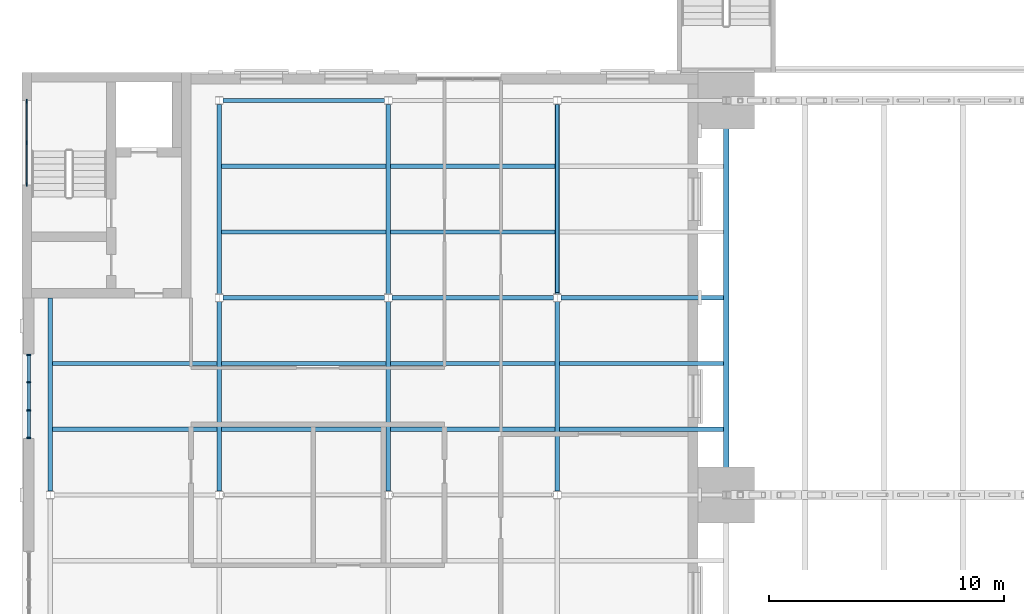
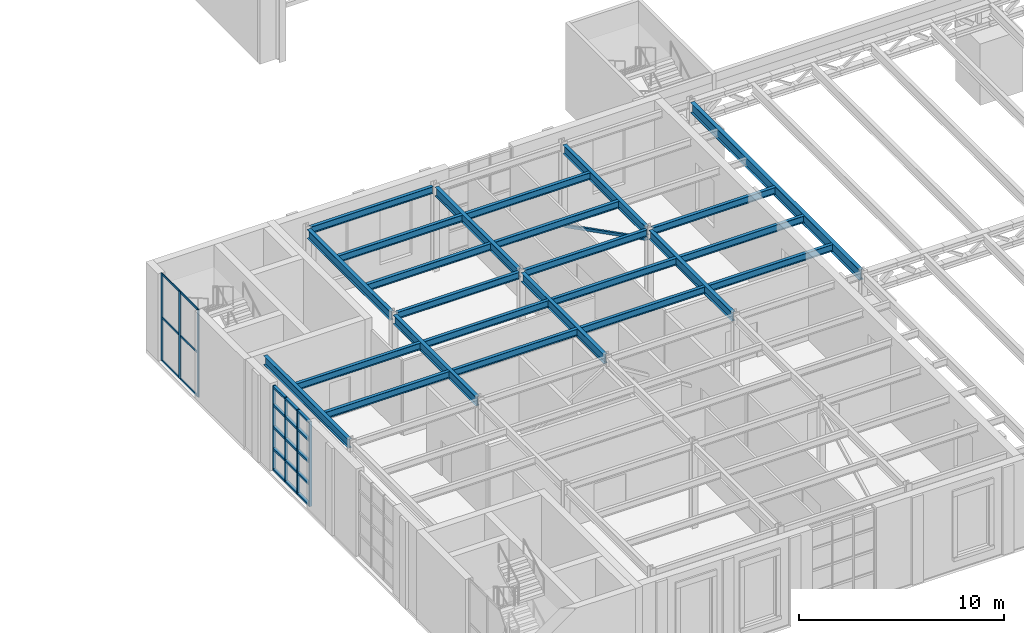
# One storey, part 19 of 93: 29 members, 24 beams, 2 elements without a shape of their own.
"""IFC4 building model written with IfcOpenShell, lengths in metres."""

from ifc_helpers import new_model, si_unit, direction, frame, origin, origin_2d, place, context, subcontext, project, spatial, rectangle, hollow_rectangle, i_section, extrude, material, layer, layer_set, material_profile, profile_set, type_object, element, aggregate, save


model = new_model("IFC4")

# Units and contexts
model_context = context("Model", 3, precision=1e-05, world=origin(), true_north=direction((0.0, 1.0)))
body_context = subcontext(model_context, "Body", "Model", "MODEL_VIEW")
ifc_project = project(units=[si_unit("LENGTHUNIT", "METRE"), si_unit("AREAUNIT", "SQUARE_METRE"), si_unit("VOLUMEUNIT", "CUBIC_METRE"), si_unit("PLANEANGLEUNIT", "RADIAN"), si_unit("MASSUNIT", "GRAM", prefix="KILO")], contexts=[model_context])

# Site, building, storey
site_placement = place(None, origin())
site = spatial("IfcSite", under=ifc_project, at=site_placement, CompositionType="ELEMENT")
building_placement = place(site_placement, origin())
building = spatial("IfcBuilding", under=site, at=building_placement, Name="Verrick Yard Athletic Hall", CompositionType="ELEMENT")
storey_placement = place(building_placement, frame((0.0, 0.0, 8.800048828125)))
storey = spatial("IfcBuildingStorey", under=building, at=storey_placement, Name="L02", CompositionType="ELEMENT", Elevation=8.800048828125)

# Curtain wall, members
ifc_material_1 = material(Name="Aluminium 6063-T5", Category="aluminium")
curtain_wall_type_1 = type_object("IfcCurtainWallType", Name="Core glazing strip", PredefinedType="NOTDEFINED", material=ifc_material_1)
curtain_wall_1_placement = place(storey_placement, origin())
curtain_wall_1 = element("IfcCurtainWall", 1, at=curtain_wall_1_placement, inside=storey, type_object=curtain_wall_type_1, Name="CORE-CB2-CW-L02", PredefinedType="NOTDEFINED")
ifc_material_profile_1 = material_profile(ifc_material_1, rectangle(XDim=0.06005859375, YDim=0.159912109375, at=origin_2d()), Name="Core glazing mullion 60x160")
ifc_profile_set_1 = profile_set([ifc_material_profile_1], Name="Aluminium 6063-T5")
member_type_1 = type_object("IfcMemberType", Name="Core glazing mullion 60x160", PredefinedType="MULLION", material=ifc_profile_set_1)
member_1_placement = place(storey_placement, frame((10.199951171875, 49.22998046875, 0.0), z_axis=(0.0, 0.0, 1.0), x_axis=(-1.0, 0.0, 0.0)))
member_1 = element("IfcMember", 2, at=member_1_placement, type_object=member_type_1, Name="CW5 mullion 1", PredefinedType="MULLION", context=body_context, shape_type="SweptSolid", body=[
    extrude(rectangle(XDim=0.06005859375, YDim=0.159912109375, at=origin_2d()), origin(), (0.0, 0.0, 1.0), 5.199951171875),
])
member_2_placement = place(storey_placement, frame((10.199951171875, 51.0, 0.0), z_axis=(0.0, 0.0, 1.0), x_axis=(-1.0, 0.0, 0.0)))
member_2 = element("IfcMember", 3, at=member_2_placement, type_object=member_type_1, Name="CW5 mullion 2", PredefinedType="MULLION", context=body_context, shape_type="SweptSolid", body=[
    extrude(rectangle(XDim=0.06005859375, YDim=0.159912109375, at=origin_2d()), origin(), (0.0, 0.0, 1.0), 5.199951171875),
])
member_3_placement = place(storey_placement, frame((10.199951171875, 52.77001953125, 0.0), z_axis=(0.0, 0.0, 1.0), x_axis=(-1.0, 0.0, 0.0)))
member_3 = element("IfcMember", 4, at=member_3_placement, type_object=member_type_1, Name="CW5 mullion 3", PredefinedType="MULLION", context=body_context, shape_type="SweptSolid", body=[
    extrude(rectangle(XDim=0.06005859375, YDim=0.159912109375, at=origin_2d()), origin(), (0.0, 0.0, 1.0), 5.199951171875),
])
ifc_material_profile_2 = material_profile(ifc_material_1, rectangle(XDim=0.06005859375, YDim=0.1201171875, at=origin_2d()), Name="Core glazing transom 60x120")
ifc_profile_set_2 = profile_set([ifc_material_profile_2], Name="Aluminium 6063-T5")
member_type_2 = type_object("IfcMemberType", Name="Core glazing transom 60x120", PredefinedType="USERDEFINED", material=ifc_profile_set_2)
member_4_placement = place(storey_placement, frame((10.199951171875, 49.260009765625, 0.030029296875), z_axis=(0.0, 1.0, 0.0), x_axis=(-1.0, 0.0, 0.0)))
member_4 = element("IfcMember", 5, at=member_4_placement, type_object=member_type_2, Name="CW5 transom 1.1", ObjectType="TRANSOM", PredefinedType="USERDEFINED", context=body_context, shape_type="SweptSolid", body=[
    extrude(rectangle(XDim=0.06005859375, YDim=0.1201171875, at=origin_2d()), origin(), (0.0, 0.0, 1.0), 1.7099609375),
])
member_5_placement = place(storey_placement, frame((10.199951171875, 49.260009765625, 2.599853515625), z_axis=(0.0, 1.0, 0.0), x_axis=(-1.0, 0.0, 0.0)))
member_5 = element("IfcMember", 6, at=member_5_placement, type_object=member_type_2, Name="CW5 transom 1.2", ObjectType="TRANSOM", PredefinedType="USERDEFINED", context=body_context, shape_type="SweptSolid", body=[
    extrude(rectangle(XDim=0.06005859375, YDim=0.1201171875, at=origin_2d()), origin(), (0.0, 0.0, 1.0), 1.7099609375),
])
member_6_placement = place(storey_placement, frame((10.199951171875, 49.260009765625, 5.169921875), z_axis=(0.0, 1.0, 0.0), x_axis=(-1.0, 0.0, 0.0)))
member_6 = element("IfcMember", 7, at=member_6_placement, type_object=member_type_2, Name="CW5 transom 1.3", ObjectType="TRANSOM", PredefinedType="USERDEFINED", context=body_context, shape_type="SweptSolid", body=[
    extrude(rectangle(XDim=0.06005859375, YDim=0.1201171875, at=origin_2d()), origin(), (0.0, 0.0, 1.0), 1.7099609375),
])
member_7_placement = place(storey_placement, frame((10.199951171875, 51.030029296875, 0.030029296875), z_axis=(0.0, 1.0, 0.0), x_axis=(-1.0, 0.0, 0.0)))
member_7 = element("IfcMember", 8, at=member_7_placement, type_object=member_type_2, Name="CW5 transom 2.1", ObjectType="TRANSOM", PredefinedType="USERDEFINED", context=body_context, shape_type="SweptSolid", body=[
    extrude(rectangle(XDim=0.06005859375, YDim=0.1201171875, at=origin_2d()), origin(), (0.0, 0.0, 1.0), 1.7099609375),
])
member_8_placement = place(storey_placement, frame((10.199951171875, 51.030029296875, 2.599853515625), z_axis=(0.0, 1.0, 0.0), x_axis=(-1.0, 0.0, 0.0)))
member_8 = element("IfcMember", 9, at=member_8_placement, type_object=member_type_2, Name="CW5 transom 2.2", ObjectType="TRANSOM", PredefinedType="USERDEFINED", context=body_context, shape_type="SweptSolid", body=[
    extrude(rectangle(XDim=0.06005859375, YDim=0.1201171875, at=origin_2d()), origin(), (0.0, 0.0, 1.0), 1.7099609375),
])
member_9_placement = place(storey_placement, frame((10.199951171875, 51.030029296875, 5.169921875), z_axis=(0.0, 1.0, 0.0), x_axis=(-1.0, 0.0, 0.0)))
member_9 = element("IfcMember", 10, at=member_9_placement, type_object=member_type_2, Name="CW5 transom 2.3", ObjectType="TRANSOM", PredefinedType="USERDEFINED", context=body_context, shape_type="SweptSolid", body=[
    extrude(rectangle(XDim=0.06005859375, YDim=0.1201171875, at=origin_2d()), origin(), (0.0, 0.0, 1.0), 1.7099609375),
])
aggregate(curtain_wall_1, [member_1, member_2, member_3, member_4, member_5, member_6, member_7, member_8, member_9])

ifc_material_2 = material(Name="Anodised aluminium", Category="aluminium")
ifc_layer = layer(ifc_material_2, 0.199951171875)
ifc_layer_set = layer_set([ifc_layer], Name="Front glazing")
curtain_wall_type_2 = type_object("IfcCurtainWallType", Name="Front glazing", PredefinedType="NOTDEFINED", material=ifc_layer_set)
curtain_wall_2_placement = place(storey_placement, origin())
curtain_wall_2 = element("IfcCurtainWall", 11, at=curtain_wall_2_placement, inside=storey, type_object=curtain_wall_type_2, Name="ENVB-WW-L02-CW384", PredefinedType="NOTDEFINED")
ifc_material_profile_3 = material_profile(ifc_material_2, rectangle(XDim=0.159912109375, YDim=0.06005859375, at=origin_2d()), Name="CW mullion 60x160")
ifc_profile_set_3 = profile_set([ifc_material_profile_3], Name="Anodised aluminium")
member_type_3 = type_object("IfcMemberType", Name="Front glazing mullion 60x160", PredefinedType="MULLION", material=ifc_profile_set_3)
member_10_placement = place(storey_placement, frame((10.28125, 38.429931640625, 0.0), z_axis=(0.0, 0.0, 1.0), x_axis=(-1.0, 0.0, 0.0)))
member_10 = element("IfcMember", 12, at=member_10_placement, type_object=member_type_3, Name="ENVB-WW-L02-CW384/M00", PredefinedType="MULLION", context=body_context, shape_type="SweptSolid", body=[
    extrude(rectangle(XDim=0.159912109375, YDim=0.06005859375, at=origin_2d()), origin(), (0.0, 0.0, 1.0), 5.050048828125),
])
member_11_placement = place(storey_placement, frame((10.28125, 39.60009765625, 0.0), z_axis=(0.0, 0.0, 1.0), x_axis=(-1.0, 0.0, 0.0)))
member_11 = element("IfcMember", 13, at=member_11_placement, type_object=member_type_3, Name="ENVB-WW-L02-CW384/M01", PredefinedType="MULLION", context=body_context, shape_type="SweptSolid", body=[
    extrude(rectangle(XDim=0.159912109375, YDim=0.06005859375, at=origin_2d()), origin(), (0.0, 0.0, 1.0), 5.050048828125),
])
member_12_placement = place(storey_placement, frame((10.28125, 40.800048828125, 0.0), z_axis=(0.0, 0.0, 1.0), x_axis=(-1.0, 0.0, 0.0)))
member_12 = element("IfcMember", 14, at=member_12_placement, type_object=member_type_3, Name="ENVB-WW-L02-CW384/M02", PredefinedType="MULLION", context=body_context, shape_type="SweptSolid", body=[
    extrude(rectangle(XDim=0.159912109375, YDim=0.06005859375, at=origin_2d()), origin(), (0.0, 0.0, 1.0), 5.050048828125),
])
member_13_placement = place(storey_placement, frame((10.28125, 41.969970703125, 0.0), z_axis=(0.0, 0.0, 1.0), x_axis=(-1.0, 0.0, 0.0)))
member_13 = element("IfcMember", 15, at=member_13_placement, type_object=member_type_3, Name="ENVB-WW-L02-CW384/M03", PredefinedType="MULLION", context=body_context, shape_type="SweptSolid", body=[
    extrude(rectangle(XDim=0.159912109375, YDim=0.06005859375, at=origin_2d()), origin(), (0.0, 0.0, 1.0), 5.050048828125),
])
ifc_material_profile_4 = material_profile(ifc_material_2, rectangle(XDim=0.159912109375, YDim=0.1201171875, at=origin_2d()), Name="CW transom 160x120")
ifc_profile_set_4 = profile_set([ifc_material_profile_4], Name="Anodised aluminium")
member_type_4 = type_object("IfcMemberType", Name="Front glazing transom 160x120", PredefinedType="USERDEFINED", material=ifc_profile_set_4)
member_14_placement = place(storey_placement, frame((10.28125, 38.4599609375, 0.06005859375), z_axis=(0.0, 1.0, 0.0), x_axis=(-1.0, 0.0, 0.0)))
member_14 = element("IfcMember", 16, at=member_14_placement, type_object=member_type_4, Name="ENVB-WW-L02-CW384/T00-00", ObjectType="TRANSOM", PredefinedType="USERDEFINED", context=body_context, shape_type="SweptSolid", body=[
    extrude(rectangle(XDim=0.159912109375, YDim=0.1201171875, at=origin_2d()), origin(), (0.0, 0.0, 1.0), 1.110107421875),
])
member_15_placement = place(storey_placement, frame((10.28125, 38.4599609375, 1.300048828125), z_axis=(0.0, 1.0, 0.0), x_axis=(-1.0, 0.0, 0.0)))
member_15 = element("IfcMember", 17, at=member_15_placement, type_object=member_type_4, Name="ENVB-WW-L02-CW384/T00-01", ObjectType="TRANSOM", PredefinedType="USERDEFINED", context=body_context, shape_type="SweptSolid", body=[
    extrude(rectangle(XDim=0.159912109375, YDim=0.1201171875, at=origin_2d()), origin(), (0.0, 0.0, 1.0), 1.110107421875),
])
member_16_placement = place(storey_placement, frame((10.28125, 38.4599609375, 2.599853515625), z_axis=(0.0, 1.0, 0.0), x_axis=(-1.0, 0.0, 0.0)))
member_16 = element("IfcMember", 18, at=member_16_placement, type_object=member_type_4, Name="ENVB-WW-L02-CW384/T00-02", ObjectType="TRANSOM", PredefinedType="USERDEFINED", context=body_context, shape_type="SweptSolid", body=[
    extrude(rectangle(XDim=0.159912109375, YDim=0.1201171875, at=origin_2d()), origin(), (0.0, 0.0, 1.0), 1.110107421875),
])
member_17_placement = place(storey_placement, frame((10.28125, 38.4599609375, 3.89990234375), z_axis=(0.0, 1.0, 0.0), x_axis=(-1.0, 0.0, 0.0)))
member_17 = element("IfcMember", 19, at=member_17_placement, type_object=member_type_4, Name="ENVB-WW-L02-CW384/T00-03", ObjectType="TRANSOM", PredefinedType="USERDEFINED", context=body_context, shape_type="SweptSolid", body=[
    extrude(rectangle(XDim=0.159912109375, YDim=0.1201171875, at=origin_2d()), origin(), (0.0, 0.0, 1.0), 1.110107421875),
])
member_18_placement = place(storey_placement, frame((10.28125, 38.4599609375, 4.989990234375), z_axis=(0.0, 1.0, 0.0), x_axis=(-1.0, 0.0, 0.0)))
member_18 = element("IfcMember", 20, at=member_18_placement, type_object=member_type_4, Name="ENVB-WW-L02-CW384/T00-04", ObjectType="TRANSOM", PredefinedType="USERDEFINED", context=body_context, shape_type="SweptSolid", body=[
    extrude(rectangle(XDim=0.159912109375, YDim=0.1201171875, at=origin_2d()), origin(), (0.0, 0.0, 1.0), 1.110107421875),
])
member_19_placement = place(storey_placement, frame((10.28125, 39.6298828125, 0.06005859375), z_axis=(0.0, 1.0, 0.0), x_axis=(-1.0, 0.0, 0.0)))
member_19 = element("IfcMember", 21, at=member_19_placement, type_object=member_type_4, Name="ENVB-WW-L02-CW384/T01-00", ObjectType="TRANSOM", PredefinedType="USERDEFINED", context=body_context, shape_type="SweptSolid", body=[
    extrude(rectangle(XDim=0.159912109375, YDim=0.1201171875, at=origin_2d()), origin(), (0.0, 0.0, 1.0), 1.14013671875),
])
member_20_placement = place(storey_placement, frame((10.28125, 39.6298828125, 1.300048828125), z_axis=(0.0, 1.0, 0.0), x_axis=(-1.0, 0.0, 0.0)))
member_20 = element("IfcMember", 22, at=member_20_placement, type_object=member_type_4, Name="ENVB-WW-L02-CW384/T01-01", ObjectType="TRANSOM", PredefinedType="USERDEFINED", context=body_context, shape_type="SweptSolid", body=[
    extrude(rectangle(XDim=0.159912109375, YDim=0.1201171875, at=origin_2d()), origin(), (0.0, 0.0, 1.0), 1.14013671875),
])
member_21_placement = place(storey_placement, frame((10.28125, 39.6298828125, 2.599853515625), z_axis=(0.0, 1.0, 0.0), x_axis=(-1.0, 0.0, 0.0)))
member_21 = element("IfcMember", 23, at=member_21_placement, type_object=member_type_4, Name="ENVB-WW-L02-CW384/T01-02", ObjectType="TRANSOM", PredefinedType="USERDEFINED", context=body_context, shape_type="SweptSolid", body=[
    extrude(rectangle(XDim=0.159912109375, YDim=0.1201171875, at=origin_2d()), origin(), (0.0, 0.0, 1.0), 1.14013671875),
])
member_22_placement = place(storey_placement, frame((10.28125, 39.6298828125, 3.89990234375), z_axis=(0.0, 1.0, 0.0), x_axis=(-1.0, 0.0, 0.0)))
member_22 = element("IfcMember", 24, at=member_22_placement, type_object=member_type_4, Name="ENVB-WW-L02-CW384/T01-03", ObjectType="TRANSOM", PredefinedType="USERDEFINED", context=body_context, shape_type="SweptSolid", body=[
    extrude(rectangle(XDim=0.159912109375, YDim=0.1201171875, at=origin_2d()), origin(), (0.0, 0.0, 1.0), 1.14013671875),
])
member_23_placement = place(storey_placement, frame((10.28125, 39.6298828125, 4.989990234375), z_axis=(0.0, 1.0, 0.0), x_axis=(-1.0, 0.0, 0.0)))
member_23 = element("IfcMember", 25, at=member_23_placement, type_object=member_type_4, Name="ENVB-WW-L02-CW384/T01-04", ObjectType="TRANSOM", PredefinedType="USERDEFINED", context=body_context, shape_type="SweptSolid", body=[
    extrude(rectangle(XDim=0.159912109375, YDim=0.1201171875, at=origin_2d()), origin(), (0.0, 0.0, 1.0), 1.14013671875),
])
member_24_placement = place(storey_placement, frame((10.28125, 40.830078125, 0.06005859375), z_axis=(0.0, 1.0, 0.0), x_axis=(-1.0, 0.0, 0.0)))
member_24 = element("IfcMember", 26, at=member_24_placement, type_object=member_type_4, Name="ENVB-WW-L02-CW384/T02-00", ObjectType="TRANSOM", PredefinedType="USERDEFINED", context=body_context, shape_type="SweptSolid", body=[
    extrude(rectangle(XDim=0.159912109375, YDim=0.1201171875, at=origin_2d()), origin(), (0.0, 0.0, 1.0), 1.10986328125),
])
member_25_placement = place(storey_placement, frame((10.28125, 40.830078125, 1.300048828125), z_axis=(0.0, 1.0, 0.0), x_axis=(-1.0, 0.0, 0.0)))
member_25 = element("IfcMember", 27, at=member_25_placement, type_object=member_type_4, Name="ENVB-WW-L02-CW384/T02-01", ObjectType="TRANSOM", PredefinedType="USERDEFINED", context=body_context, shape_type="SweptSolid", body=[
    extrude(rectangle(XDim=0.159912109375, YDim=0.1201171875, at=origin_2d()), origin(), (0.0, 0.0, 1.0), 1.10986328125),
])
member_26_placement = place(storey_placement, frame((10.28125, 40.830078125, 2.599853515625), z_axis=(0.0, 1.0, 0.0), x_axis=(-1.0, 0.0, 0.0)))
member_26 = element("IfcMember", 28, at=member_26_placement, type_object=member_type_4, Name="ENVB-WW-L02-CW384/T02-02", ObjectType="TRANSOM", PredefinedType="USERDEFINED", context=body_context, shape_type="SweptSolid", body=[
    extrude(rectangle(XDim=0.159912109375, YDim=0.1201171875, at=origin_2d()), origin(), (0.0, 0.0, 1.0), 1.10986328125),
])
member_27_placement = place(storey_placement, frame((10.28125, 40.830078125, 3.89990234375), z_axis=(0.0, 1.0, 0.0), x_axis=(-1.0, 0.0, 0.0)))
member_27 = element("IfcMember", 29, at=member_27_placement, type_object=member_type_4, Name="ENVB-WW-L02-CW384/T02-03", ObjectType="TRANSOM", PredefinedType="USERDEFINED", context=body_context, shape_type="SweptSolid", body=[
    extrude(rectangle(XDim=0.159912109375, YDim=0.1201171875, at=origin_2d()), origin(), (0.0, 0.0, 1.0), 1.10986328125),
])
member_28_placement = place(storey_placement, frame((10.28125, 40.830078125, 4.989990234375), z_axis=(0.0, 1.0, 0.0), x_axis=(-1.0, 0.0, 0.0)))
member_28 = element("IfcMember", 30, at=member_28_placement, type_object=member_type_4, Name="ENVB-WW-L02-CW384/T02-04", ObjectType="TRANSOM", PredefinedType="USERDEFINED", context=body_context, shape_type="SweptSolid", body=[
    extrude(rectangle(XDim=0.159912109375, YDim=0.1201171875, at=origin_2d()), origin(), (0.0, 0.0, 1.0), 1.10986328125),
])
aggregate(curtain_wall_2, [member_10, member_11, member_12, member_13, member_14, member_15, member_16, member_17, member_18, member_19, member_20, member_21, member_22, member_23, member_24, member_25, member_26, member_27, member_28])

# Beam
ifc_material_3 = material(Name="Structural steel 350W (CSA G40.21)", Category="steel")
ifc_material_profile_5 = material_profile(ifc_material_3, i_section(OverallWidth=0.22802734375, OverallDepth=0.60791015625, WebThickness=0.01123046875, FlangeThickness=0.017333984375, at=origin_2d()), Name="W610x113")
ifc_profile_set_5 = profile_set([ifc_material_profile_5], Name="Structural steel 350W (CSA G40.21)")
beam_type_1 = type_object("IfcBeamType", Name="STR Secondary beam W610x113", PredefinedType="BEAM", material=ifc_profile_set_5)
beam_1_placement = place(storey_placement, frame((40.0, 36.16162109375, 4.745849609375), z_axis=(0.0, 1.0, 0.0), x_axis=(-1.0, 0.0, 0.0)))
element("IfcBeam", 31, at=beam_1_placement, inside=storey, type_object=beam_type_1, Name="STR-SB-X1B", PredefinedType="BEAM", context=body_context, shape_type="SweptSolid", body=[
    extrude(i_section(OverallWidth=0.22802734375, OverallDepth=0.60791015625, WebThickness=0.01123046875, FlangeThickness=0.017333984375, at=origin_2d()), origin(), (0.0, 0.0, 1.0), 16.476806640625),
])

# Member
ifc_material_4 = material(Name="Structural steel HSS Class C 350W (CSA G40.20/G40.21)", Category="steel")
ifc_material_profile_6 = material_profile(ifc_material_4, hollow_rectangle(XDim=0.15234375, YDim=0.15234375, WallThickness=0.009521484375, at=origin_2d()), Name="HSS152x152x9.5")
ifc_profile_set_6 = profile_set([ifc_material_profile_6], Name="Structural steel HSS Class C 350W (CSA G40.20/G40.21)")
member_type_5 = type_object("IfcMemberType", Name="STR Wing brace HSS152x152x9.5", PredefinedType="BRACE", material=ifc_profile_set_6)
member_29_placement = place(storey_placement, frame((32.800048828125, 44.59521484375, 4.2998046875), z_axis=(0.0, 0.890929631237, -0.454141379071), x_axis=(-1.0, 0.0, 0.0)))
element("IfcMember", 32, at=member_29_placement, inside=storey, type_object=member_type_5, Name="STR-BR-W4-L02", PredefinedType="BRACE", context=body_context, shape_type="SweptSolid", body=[
    extrude(hollow_rectangle(XDim=0.15234375, YDim=0.15234375, WallThickness=0.009521484375, at=origin_2d()), origin(), (0.0, 0.0, 1.0), 8.989990234375),
])

# Beams
ifc_material_profile_7 = material_profile(ifc_material_3, i_section(OverallWidth=0.177978515625, OverallDepth=0.406982421875, WebThickness=0.0078125, FlangeThickness=0.0126953125, at=origin_2d()), Name="W410x60")
ifc_profile_set_7 = profile_set([ifc_material_profile_7], Name="Structural steel 350W (CSA G40.21)")
beam_type_2 = type_object("IfcBeamType", Name="STR Wing floor beam W410x60", PredefinedType="BEAM", material=ifc_profile_set_7)
for number, where, z_axis, x_axis, name in (
    (33, (18.554443359375, 44.39990234375, 4.846435546875), (1.0, 0.0, 0.0), (0.0, 1.0, 0.0), "STR-B-W140-44.4-1"),
    (34, (25.75439453125, 44.39990234375, 4.846435546875), (1.0, 0.0, 0.0), (0.0, 1.0, 0.0), "STR-B-W140-44.4-2"),
):
    element("IfcBeam", number, at=place(storey_placement, frame(where, z_axis=z_axis, x_axis=x_axis)), inside=storey, type_object=beam_type_2, Name=name, PredefinedType="BEAM", context=body_context, shape_type="SweptSolid", body=[
        extrude(i_section(OverallWidth=0.177978515625, OverallDepth=0.406982421875, WebThickness=0.0078125, FlangeThickness=0.0126953125, at=origin_2d()), origin(), (0.0, 0.0, 1.0), 6.89111328125),
    ])
beam_2_placement = place(storey_placement, frame((32.95458984375, 44.39990234375, 4.846435546875), z_axis=(1.0, 0.0, 0.0), x_axis=(0.0, 1.0, 0.0)))
element("IfcBeam", 35, at=beam_2_placement, inside=storey, type_object=beam_type_2, Name="STR-B-W140-44.4-3", PredefinedType="BEAM", context=body_context, shape_type="SweptSolid", body=[
    extrude(i_section(OverallWidth=0.177978515625, OverallDepth=0.406982421875, WebThickness=0.0078125, FlangeThickness=0.0126953125, at=origin_2d()), origin(), (0.0, 0.0, 1.0), 6.931396484375),
])
beam_3_placement = place(storey_placement, frame((18.554443359375, 52.800048828125, 4.846435546875), z_axis=(1.0, 0.0, 0.0), x_axis=(0.0, 1.0, 0.0)))
element("IfcBeam", 36, at=beam_3_placement, inside=storey, type_object=beam_type_2, Name="STR-B-W140-52.8-1", PredefinedType="BEAM", context=body_context, shape_type="SweptSolid", body=[
    extrude(i_section(OverallWidth=0.177978515625, OverallDepth=0.406982421875, WebThickness=0.0078125, FlangeThickness=0.0126953125, at=origin_2d()), origin(), (0.0, 0.0, 1.0), 6.89111328125),
])
beam_4_placement = place(storey_placement, frame((11.304443359375, 38.800048828125, 4.846435546875), z_axis=(1.0, 0.0, 0.0), x_axis=(0.0, 1.0, 0.0)))
element("IfcBeam", 37, at=beam_4_placement, inside=storey, type_object=beam_type_2, Name="STR-B-W140-38.8-1", PredefinedType="BEAM", context=body_context, shape_type="SweptSolid", body=[
    extrude(i_section(OverallWidth=0.177978515625, OverallDepth=0.406982421875, WebThickness=0.0078125, FlangeThickness=0.0126953125, at=origin_2d()), origin(), (0.0, 0.0, 1.0), 6.990966796875),
])
beam_5_placement = place(storey_placement, frame((18.50439453125, 38.800048828125, 4.846435546875), z_axis=(1.0, 0.0, 0.0), x_axis=(0.0, 1.0, 0.0)))
element("IfcBeam", 38, at=beam_5_placement, inside=storey, type_object=beam_type_2, Name="STR-B-W140-38.8-2", PredefinedType="BEAM", context=body_context, shape_type="SweptSolid", body=[
    extrude(i_section(OverallWidth=0.177978515625, OverallDepth=0.406982421875, WebThickness=0.0078125, FlangeThickness=0.0126953125, at=origin_2d()), origin(), (0.0, 0.0, 1.0), 6.9912109375),
])
beam_6_placement = place(storey_placement, frame((25.70458984375, 38.800048828125, 4.846435546875), z_axis=(1.0, 0.0, 0.0), x_axis=(0.0, 1.0, 0.0)))
element("IfcBeam", 39, at=beam_6_placement, inside=storey, type_object=beam_type_2, Name="STR-B-W140-38.8-3", PredefinedType="BEAM", context=body_context, shape_type="SweptSolid", body=[
    extrude(i_section(OverallWidth=0.177978515625, OverallDepth=0.406982421875, WebThickness=0.0078125, FlangeThickness=0.0126953125, at=origin_2d()), origin(), (0.0, 0.0, 1.0), 6.990966796875),
])
beam_7_placement = place(storey_placement, frame((32.904541015625, 38.800048828125, 4.846435546875), z_axis=(1.0, 0.0, 0.0), x_axis=(0.0, 1.0, 0.0)))
element("IfcBeam", 40, at=beam_7_placement, inside=storey, type_object=beam_type_2, Name="STR-B-W140-38.8-4", PredefinedType="BEAM", context=body_context, shape_type="SweptSolid", body=[
    extrude(i_section(OverallWidth=0.177978515625, OverallDepth=0.406982421875, WebThickness=0.0078125, FlangeThickness=0.0126953125, at=origin_2d()), origin(), (0.0, 0.0, 1.0), 6.9814453125),
])
beam_8_placement = place(storey_placement, frame((11.304443359375, 41.60009765625, 4.846435546875), z_axis=(1.0, 0.0, 0.0), x_axis=(0.0, 1.0, 0.0)))
element("IfcBeam", 41, at=beam_8_placement, inside=storey, type_object=beam_type_2, Name="STR-B-W140-41.6-1", PredefinedType="BEAM", context=body_context, shape_type="SweptSolid", body=[
    extrude(i_section(OverallWidth=0.177978515625, OverallDepth=0.406982421875, WebThickness=0.0078125, FlangeThickness=0.0126953125, at=origin_2d()), origin(), (0.0, 0.0, 1.0), 6.990966796875),
])
beam_9_placement = place(storey_placement, frame((18.50439453125, 41.60009765625, 4.846435546875), z_axis=(1.0, 0.0, 0.0), x_axis=(0.0, 1.0, 0.0)))
element("IfcBeam", 42, at=beam_9_placement, inside=storey, type_object=beam_type_2, Name="STR-B-W140-41.6-2", PredefinedType="BEAM", context=body_context, shape_type="SweptSolid", body=[
    extrude(i_section(OverallWidth=0.177978515625, OverallDepth=0.406982421875, WebThickness=0.0078125, FlangeThickness=0.0126953125, at=origin_2d()), origin(), (0.0, 0.0, 1.0), 6.9912109375),
])
beam_10_placement = place(storey_placement, frame((25.70458984375, 41.60009765625, 4.846435546875), z_axis=(1.0, 0.0, 0.0), x_axis=(0.0, 1.0, 0.0)))
element("IfcBeam", 43, at=beam_10_placement, inside=storey, type_object=beam_type_2, Name="STR-B-W140-41.6-3", PredefinedType="BEAM", context=body_context, shape_type="SweptSolid", body=[
    extrude(i_section(OverallWidth=0.177978515625, OverallDepth=0.406982421875, WebThickness=0.0078125, FlangeThickness=0.0126953125, at=origin_2d()), origin(), (0.0, 0.0, 1.0), 6.990966796875),
])
beam_11_placement = place(storey_placement, frame((32.904541015625, 41.60009765625, 4.846435546875), z_axis=(1.0, 0.0, 0.0), x_axis=(0.0, 1.0, 0.0)))
element("IfcBeam", 44, at=beam_11_placement, inside=storey, type_object=beam_type_2, Name="STR-B-W140-41.6-4", PredefinedType="BEAM", context=body_context, shape_type="SweptSolid", body=[
    extrude(i_section(OverallWidth=0.177978515625, OverallDepth=0.406982421875, WebThickness=0.0078125, FlangeThickness=0.0126953125, at=origin_2d()), origin(), (0.0, 0.0, 1.0), 6.9814453125),
])
beam_12_placement = place(storey_placement, frame((18.50439453125, 47.199951171875, 4.846435546875), z_axis=(1.0, 0.0, 0.0), x_axis=(0.0, 1.0, 0.0)))
element("IfcBeam", 45, at=beam_12_placement, inside=storey, type_object=beam_type_2, Name="STR-B-W140-47.2-1", PredefinedType="BEAM", context=body_context, shape_type="SweptSolid", body=[
    extrude(i_section(OverallWidth=0.177978515625, OverallDepth=0.406982421875, WebThickness=0.0078125, FlangeThickness=0.0126953125, at=origin_2d()), origin(), (0.0, 0.0, 1.0), 6.9912109375),
])
beam_13_placement = place(storey_placement, frame((25.70458984375, 47.199951171875, 4.846435546875), z_axis=(1.0, 0.0, 0.0), x_axis=(0.0, 1.0, 0.0)))
element("IfcBeam", 46, at=beam_13_placement, inside=storey, type_object=beam_type_2, Name="STR-B-W140-47.2-2", PredefinedType="BEAM", context=body_context, shape_type="SweptSolid", body=[
    extrude(i_section(OverallWidth=0.177978515625, OverallDepth=0.406982421875, WebThickness=0.0078125, FlangeThickness=0.0126953125, at=origin_2d()), origin(), (0.0, 0.0, 1.0), 6.990966796875),
])
beam_14_placement = place(storey_placement, frame((18.50439453125, 50.0, 4.846435546875), z_axis=(1.0, 0.0, 0.0), x_axis=(0.0, 1.0, 0.0)))
element("IfcBeam", 47, at=beam_14_placement, inside=storey, type_object=beam_type_2, Name="STR-B-W140-50-1", PredefinedType="BEAM", context=body_context, shape_type="SweptSolid", body=[
    extrude(i_section(OverallWidth=0.177978515625, OverallDepth=0.406982421875, WebThickness=0.0078125, FlangeThickness=0.0126953125, at=origin_2d()), origin(), (0.0, 0.0, 1.0), 6.9912109375),
])
beam_15_placement = place(storey_placement, frame((25.70458984375, 50.0, 4.846435546875), z_axis=(1.0, 0.0, 0.0), x_axis=(0.0, 1.0, 0.0)))
element("IfcBeam", 48, at=beam_15_placement, inside=storey, type_object=beam_type_2, Name="STR-B-W140-50-2", PredefinedType="BEAM", context=body_context, shape_type="SweptSolid", body=[
    extrude(i_section(OverallWidth=0.177978515625, OverallDepth=0.406982421875, WebThickness=0.0078125, FlangeThickness=0.0126953125, at=origin_2d()), origin(), (0.0, 0.0, 1.0), 6.990966796875),
])
ifc_material_profile_8 = material_profile(ifc_material_3, i_section(OverallWidth=0.208984375, OverallDepth=0.532958984375, WebThickness=0.01025390625, FlangeThickness=0.015625, at=origin_2d()), Name="W530x92")
ifc_profile_set_8 = profile_set([ifc_material_profile_8], Name="Structural steel 350W (CSA G40.21)")
beam_type_3 = type_object("IfcBeamType", Name="STR Wing girder W530x92", PredefinedType="BEAM", material=ifc_profile_set_8)
beam_16_placement = place(storey_placement, frame((11.199951171875, 36.16162109375, 4.783447265625), z_axis=(0.0, 1.0, 0.0), x_axis=(-1.0, 0.0, 0.0)))
element("IfcBeam", 49, at=beam_16_placement, inside=storey, type_object=beam_type_3, Name="STR-GB-W140-11.2-2", PredefinedType="BEAM", context=body_context, shape_type="SweptSolid", body=[
    extrude(i_section(OverallWidth=0.208984375, OverallDepth=0.532958984375, WebThickness=0.01025390625, FlangeThickness=0.015625, at=origin_2d()), origin(), (0.0, 0.0, 1.0), 8.23828125),
])
for number, where, z_axis, x_axis, name in (
    (50, (18.39990234375, 36.16162109375, 4.783447265625), (0.0, 1.0, 0.0), (-1.0, 0.0, 0.0), "STR-GB-W140-18.4-3"),
    (51, (18.39990234375, 44.5615234375, 4.783447265625), (0.0, 1.0, 0.0), (-1.0, 0.0, 0.0), "STR-GB-W140-18.4-4"),
    (52, (25.60009765625, 36.16162109375, 4.783447265625), (0.0, 1.0, 0.0), (-1.0, 0.0, 0.0), "STR-GB-W140-25.6-3"),
    (53, (25.60009765625, 44.5615234375, 4.783447265625), (0.0, 1.0, 0.0), (-1.0, 0.0, 0.0), "STR-GB-W140-25.6-4"),
    (54, (32.800048828125, 36.16162109375, 4.783447265625), (0.0, 1.0, 0.0), (-1.0, 0.0, 0.0), "STR-GB-W140-32.8-3"),
    (55, (32.800048828125, 44.5615234375, 4.783447265625), (0.0, 1.0, 0.0), (-1.0, 0.0, 0.0), "STR-GB-W140-32.8-4"),
):
    element("IfcBeam", number, at=place(storey_placement, frame(where, z_axis=z_axis, x_axis=x_axis)), inside=storey, type_object=beam_type_3, Name=name, PredefinedType="BEAM", context=body_context, shape_type="SweptSolid", body=[
        extrude(i_section(OverallWidth=0.208984375, OverallDepth=0.532958984375, WebThickness=0.01025390625, FlangeThickness=0.015625, at=origin_2d()), origin(), (0.0, 0.0, 1.0), 8.076904296875),
    ])

save(model, "model.ifc")
